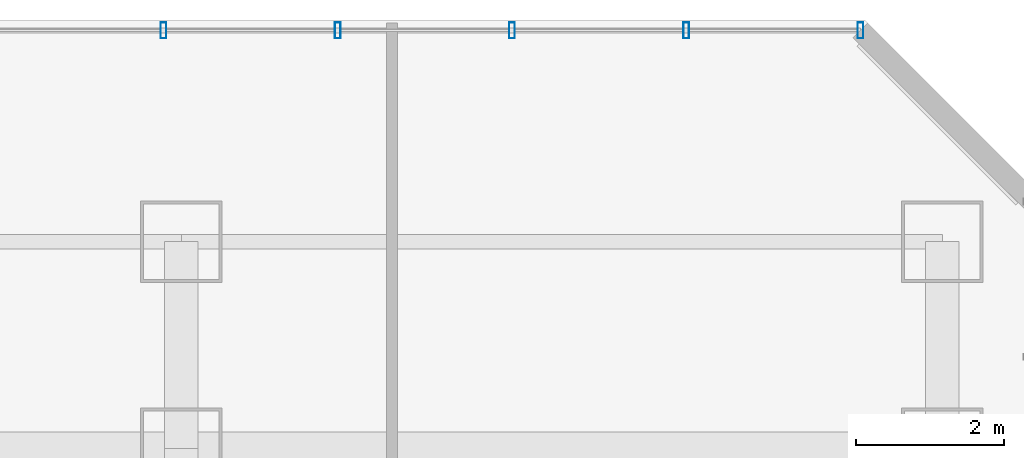
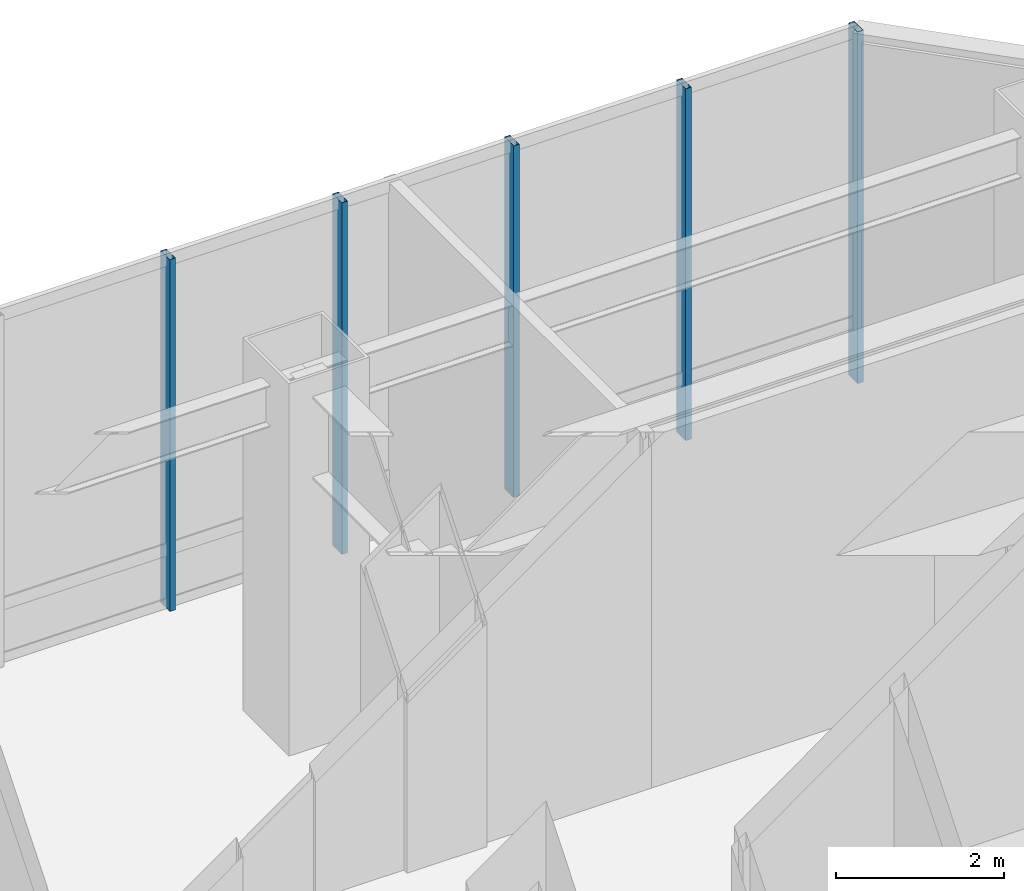
# One storey, part 28 of 38: 5 members, 1 element without a shape of its own.
"""IFC4 building model written with IfcOpenShell, lengths in metres."""

from ifc_helpers import new_model, si_unit, direction, frame, origin, origin_2d, place, context, subcontext, project, spatial, hollow_rectangle, extrude, material, layer, layer_set, material_profile, profile_set, type_object, element, aggregate, save


model = new_model("IFC4")

# Units and contexts
model_context = context("Model", 3, precision=1e-05, world=origin(), true_north=direction((0.0, 1.0)))
body_context = subcontext(model_context, "Body", "Model", "MODEL_VIEW")
ifc_project = project(units=[si_unit("LENGTHUNIT", "METRE"), si_unit("AREAUNIT", "SQUARE_METRE"), si_unit("VOLUMEUNIT", "CUBIC_METRE"), si_unit("PLANEANGLEUNIT", "RADIAN"), si_unit("MASSUNIT", "GRAM", prefix="KILO")], contexts=[model_context])

# Site, building, storey
site_placement = place(None, origin())
site = spatial("IfcSite", under=ifc_project, at=site_placement, CompositionType="ELEMENT")
building_placement = place(site_placement, origin())
building = spatial("IfcBuilding", under=site, at=building_placement, Name="Hatsunagi Terrace Concourse", CompositionType="ELEMENT")
storey_placement = place(building_placement, frame((0.0, 0.0, 21.60009765625)))
storey = spatial("IfcBuildingStorey", under=building, at=storey_placement, Name="L05", CompositionType="ELEMENT", Elevation=21.60009765625)

# Curtain wall, members
ifc_material_1 = material(Name="Anodised Aluminium Alloy 6063-T5", Category="aluminium")
ifc_layer = layer(ifc_material_1, 0.199951171875)
ifc_layer_set = layer_set([ifc_layer], Name="PodiumStorefront_CW01")
curtain_wall_type = type_object("IfcCurtainWallType", Name="PodiumStorefront_CW01", PredefinedType="NOTDEFINED", material=ifc_layer_set)
curtain_wall_placement = place(storey_placement, origin())
curtain_wall = element("IfcCurtainWall", 1, at=curtain_wall_placement, inside=storey, type_object=curtain_wall_type, Name="Unitised Curtain Wall CW-01 CW-L05-11", PredefinedType="NOTDEFINED")
ifc_material_2 = material(Name="Anodised Aluminium Alloy 6063-T5", Category="aluminium")
ifc_material_profile = material_profile(ifc_material_2, hollow_rectangle(XDim=0.080078125, YDim=0.219970703125, WallThickness=0.0048828125, at=origin_2d()), Name="ALU-MUL-220x80x5")
ifc_profile_set = profile_set([ifc_material_profile], Name="Anodised Aluminium Alloy 6063-T5")
member_type = type_object("IfcMemberType", Name="CurtainWallMullion_Heavy_220x80", PredefinedType="MULLION", material=ifc_profile_set)
member_1_placement = place(storey_placement, frame((33.110107421875, 51.4599609375, 0.0), z_axis=(0.0, 0.0, 1.0), x_axis=(1.0, 0.0, 0.0)))
member_1 = element("IfcMember", 2, at=member_1_placement, type_object=member_type, Name="Curtain Wall Mullion MUL-01", PredefinedType="MULLION", context=body_context, shape_type="SweptSolid", body=[
    extrude(hollow_rectangle(XDim=0.080078125, YDim=0.219970703125, WallThickness=0.0048828125, at=origin_2d()), origin(), (0.0, 0.0, 1.0), 5.099853515625),
])
member_2_placement = place(storey_placement, frame((35.468017578125, 51.4599609375, 0.0), z_axis=(0.0, 0.0, 1.0), x_axis=(1.0, 0.0, 0.0)))
member_2 = element("IfcMember", 3, at=member_2_placement, type_object=member_type, Name="Curtain Wall Mullion MUL-01", PredefinedType="MULLION", context=body_context, shape_type="SweptSolid", body=[
    extrude(hollow_rectangle(XDim=0.080078125, YDim=0.219970703125, WallThickness=0.0048828125, at=origin_2d()), origin(), (0.0, 0.0, 1.0), 5.099853515625),
])
member_3_placement = place(storey_placement, frame((37.825927734375, 51.4599609375, 0.0), z_axis=(0.0, 0.0, 1.0), x_axis=(1.0, 0.0, 0.0)))
member_3 = element("IfcMember", 4, at=member_3_placement, type_object=member_type, Name="Curtain Wall Mullion MUL-01", PredefinedType="MULLION", context=body_context, shape_type="SweptSolid", body=[
    extrude(hollow_rectangle(XDim=0.080078125, YDim=0.219970703125, WallThickness=0.0048828125, at=origin_2d()), origin(), (0.0, 0.0, 1.0), 5.099853515625),
])
member_4_placement = place(storey_placement, frame((40.18408203125, 51.4599609375, 0.0), z_axis=(0.0, 0.0, 1.0), x_axis=(1.0, 0.0, 0.0)))
member_4 = element("IfcMember", 5, at=member_4_placement, type_object=member_type, Name="Curtain Wall Mullion MUL-01", PredefinedType="MULLION", context=body_context, shape_type="SweptSolid", body=[
    extrude(hollow_rectangle(XDim=0.080078125, YDim=0.219970703125, WallThickness=0.0048828125, at=origin_2d()), origin(), (0.0, 0.0, 1.0), 5.099853515625),
])
member_5_placement = place(storey_placement, frame((42.5419921875, 51.4599609375, 0.0), z_axis=(0.0, 0.0, 1.0), x_axis=(1.0, 0.0, 0.0)))
member_5 = element("IfcMember", 6, at=member_5_placement, type_object=member_type, Name="Curtain Wall Mullion MUL-01", PredefinedType="MULLION", context=body_context, shape_type="SweptSolid", body=[
    extrude(hollow_rectangle(XDim=0.080078125, YDim=0.219970703125, WallThickness=0.0048828125, at=origin_2d()), origin(), (0.0, 0.0, 1.0), 5.099853515625),
])
aggregate(curtain_wall, [member_1, member_2, member_3, member_4, member_5])

save(model, "model.ifc")
